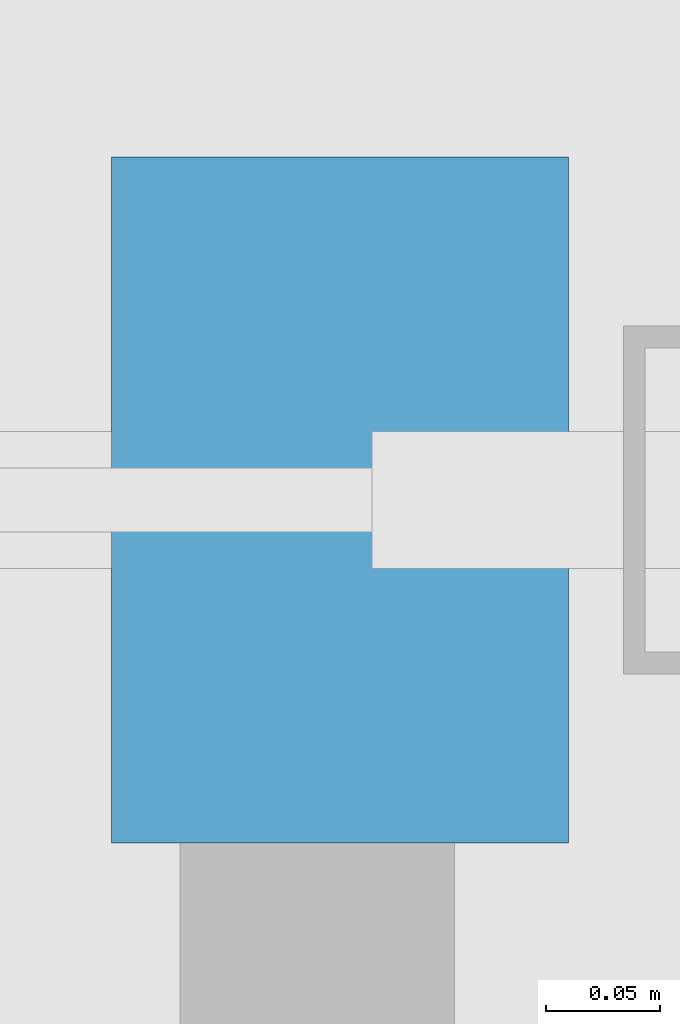
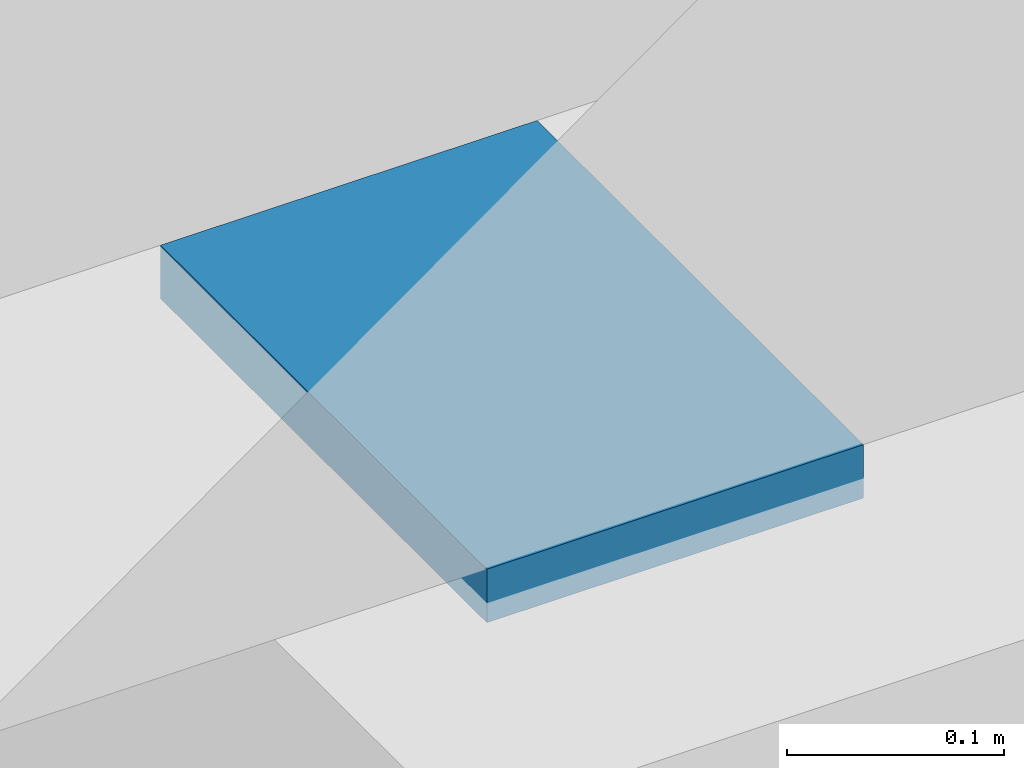
# One storey, part 111 of 131: 1 discrete accessory.
"""IFC4 building model written with IfcOpenShell, lengths in metres."""

import ifcopenshell
import ifcopenshell.guid

model = None  # the IFC model being written
_history = None  # IfcOwnerHistory: only IFC2X3 demands one
_inside = {}  # id of a spatial element -> (the spatial element, [elements in it])
_under = {}  # id of a project, library or spatial element -> (it, [spatial elements below it])
_declared = {}  # id of a project -> (the project, [libraries it declares])
_typed = {}  # id of a type object -> (the type object, [elements of that type])
_made_of = {}  # id of a material, layer set ... -> (it, [elements and type objects made of it])


def new_model(schema):
    """Start an empty IFC model of exactly this schema.

    Asked for "IFC4X3", IfcOpenShell would pick the latest addendum, in which some entities
    have other attributes; the version numbers below select the first issue.
    IFC2X3 requires an IfcOwnerHistory on every rooted entity: one is made here for all.
    """
    global model, _history
    if schema == "IFC4X3":
        model = ifcopenshell.file(schema_version=(4, 3, 0, 0))
    else:
        model = ifcopenshell.file(schema=schema)
    _inside.clear()
    _under.clear()
    _declared.clear()
    _typed.clear()
    _made_of.clear()
    _history = None
    if model.schema == "IFC2X3":
        org = make("IfcOrganization", Name="unknown")
        user = make(
            "IfcPersonAndOrganization",
            ThePerson=make("IfcPerson", FamilyName="unknown"),
            TheOrganization=org,
        )
        app = make(
            "IfcApplication",
            ApplicationDeveloper=org,
            Version="unknown",
            ApplicationFullName="unknown",
            ApplicationIdentifier="unknown",
        )
        _history = make(
            "IfcOwnerHistory",
            OwningUser=user,
            OwningApplication=app,
            ChangeAction="ADDED",
            CreationDate=0,
        )
    return model


def make(cls, **values):
    """One entity of the class cls with the attributes given. An attribute that is None is left unset."""
    return model.create_entity(
        cls, **{name: value for name, value in values.items() if value is not None}
    )


def rooted(cls, **values):
    """An entity with a GlobalId (a new one), such as an element, a storey or a relation."""
    return make(cls, GlobalId=ifcopenshell.guid.new(), OwnerHistory=_history, **values)


def si_unit(unit_type, name, prefix=None):
    """IfcSIUnit, for example si_unit("LENGTHUNIT", "METRE", prefix="MILLI")."""
    return make("IfcSIUnit", UnitType=unit_type, Prefix=prefix, Name=name)


def assignment(units):
    """IfcUnitAssignment: the units of a project."""
    return None if units is None else make("IfcUnitAssignment", Units=units)


def point(xyz):
    """IfcCartesianPoint."""
    return None if xyz is None else make("IfcCartesianPoint", Coordinates=xyz)


def direction(xyz):
    """IfcDirection."""
    return None if xyz is None else make("IfcDirection", DirectionRatios=xyz)


def frame(location, z_axis=None, x_axis=None):
    """IfcAxis2Placement3D, a coordinate frame: its origin and axes. An axis left out is left unset."""
    return make(
        "IfcAxis2Placement3D",
        Location=point(location),
        Axis=direction(z_axis),
        RefDirection=direction(x_axis),
    )


def frame_2d(location, x_axis=None):
    """IfcAxis2Placement2D, a coordinate frame in the plane: its origin and x axis."""
    return make(
        "IfcAxis2Placement2D", Location=point(location), RefDirection=direction(x_axis)
    )


def origin():
    """The frame at (0, 0, 0) with its axes left unset."""
    return frame((0.0, 0.0, 0.0))


def origin_2d():
    """The frame at (0, 0) in the plane with its x axis left unset."""
    return frame_2d((0.0, 0.0))


def place(relative_to, where):
    """IfcLocalPlacement: puts the frame where relative to a parent placement (None: the world)."""
    return make(
        "IfcLocalPlacement", PlacementRelTo=relative_to, RelativePlacement=where
    )


def context(
    kind, dimensions, precision=None, world=None, true_north=None, identifier=None
):
    """IfcGeometricRepresentationContext, for example the 3D "Model" context."""
    return make(
        "IfcGeometricRepresentationContext",
        ContextIdentifier=identifier,
        ContextType=kind,
        CoordinateSpaceDimension=dimensions,
        Precision=precision,
        WorldCoordinateSystem=world,
        TrueNorth=true_north,
    )


def subcontext(parent, identifier, kind, view, scale=None):
    """IfcGeometricRepresentationSubContext, for example "Body" below "Model"."""
    return make(
        "IfcGeometricRepresentationSubContext",
        ContextIdentifier=identifier,
        ContextType=kind,
        ParentContext=parent,
        TargetScale=scale,
        TargetView=view,
    )


def project(units=None, contexts=None):
    """IfcProject with its units and contexts."""
    return rooted(
        "IfcProject",
        Name="project",
        RepresentationContexts=contexts,
        UnitsInContext=assignment(units),
    )


def spatial(cls, under=None, at=None, **own):
    """A site, building, storey or space (cls), placed at a placement, below another one or the project."""
    s = rooted(cls, ObjectPlacement=at, **own)
    if under is not None:
        _under.setdefault(under.id(), (under, []))[1].append(s)
    return s


def profile(cls, at=None, kind="AREA", **sizes):
    """A parametric profile (cls). Its sizes go by their IFC names, for example OverallWidth=200.0."""
    return make(cls, ProfileType=kind, Position=at, **sizes)


def rectangle(**sizes):
    """IfcRectangleProfileDef."""
    return profile("IfcRectangleProfileDef", **sizes)


def extrude(swept, where, along, depth):
    """IfcExtrudedAreaSolid: the profile swept, set in the frame where, extruded along a direction by depth."""
    return make(
        "IfcExtrudedAreaSolid",
        SweptArea=swept,
        Position=where,
        ExtrudedDirection=direction(along),
        Depth=depth,
    )


def shape(context_of_items, identifier, shape_type, items):
    """IfcShapeRepresentation: the items that make up one representation, for example the "Body"."""
    return make(
        "IfcShapeRepresentation",
        ContextOfItems=context_of_items,
        RepresentationIdentifier=identifier,
        RepresentationType=shape_type,
        Items=items,
    )


def material(Name=None, Category=None):
    """IfcMaterial."""
    return make("IfcMaterial", Name=Name, Category=Category)


def material_profile(
    of_material, cross_section, Name=None, Category=None, Priority=None
):
    """IfcMaterialProfile: a cross section and its material."""
    return make(
        "IfcMaterialProfile",
        Name=Name,
        Material=of_material,
        Profile=cross_section,
        Priority=Priority,
        Category=Category,
    )


def profile_set(profiles, Name=None, composite=None):
    """IfcMaterialProfileSet."""
    return make(
        "IfcMaterialProfileSet",
        Name=Name,
        MaterialProfiles=profiles,
        CompositeProfile=composite,
    )


def made_of(thing, what):
    """Note that an element or type object is made of a material, layer set ...; save() writes the relation."""
    if what is not None:
        _made_of.setdefault(what.id(), (what, []))[1].append(thing)
    return thing


def type_object(cls, material=None, **own):
    """A type object (cls), such as IfcWallType, which elements share."""
    return made_of(rooted(cls, **own), material)


def element(
    cls,
    number,
    at=None,
    inside=None,
    cuts=None,
    type_object=None,
    material=None,
    context=None,
    identifier="Body",
    shape_type=None,
    held_by="IfcProductDefinitionShape",
    body=None,
    shapes=None,
    **own,
):
    """One element of the class cls, such as IfcWall. Its Tag is "e" and its number.

    at: its placement. inside: the storey or other place that contains it. cuts: it is an
    opening in that element (IfcRelVoidsElement). A single representation is given by context,
    identifier, shape_type and body (its items); several are given by shapes. held_by: the class
    of the entity that holds the representations. save() writes the other relations.
    """
    e = rooted(cls, Tag="e%d" % number, ObjectPlacement=at, **own)
    if body is not None:
        shapes = [shape(context, identifier, shape_type, body)]
    if shapes is not None:
        e.Representation = make(held_by, Representations=shapes)
    if inside is not None:
        _inside.setdefault(inside.id(), (inside, []))[1].append(e)
    if cuts is not None:
        rooted(
            "IfcRelVoidsElement", RelatingBuildingElement=cuts, RelatedOpeningElement=e
        )
    if type_object is not None:
        _typed.setdefault(type_object.id(), (type_object, []))[1].append(e)
    return made_of(e, material)


def aggregate(whole, parts):
    """IfcRelAggregates: a whole, such as a stair, and the parts it consists of."""
    return rooted("IfcRelAggregates", RelatingObject=whole, RelatedObjects=parts)


def save(model, path):
    """Write the relations noted so far, then the file.

    IfcRelAggregates (storeys below a building ...), IfcRelContainedInSpatialStructure (elements
    in a storey), IfcRelDefinesByType, IfcRelAssociatesMaterial and IfcRelDeclares: one each for
    every whole, place, type object, material and project.
    """
    for whole, parts in _under.values():
        aggregate(whole, parts)
    for where, things in _inside.values():
        rooted(
            "IfcRelContainedInSpatialStructure",
            RelatedElements=things,
            RelatingStructure=where,
        )
    for kind, things in _typed.values():
        rooted("IfcRelDefinesByType", RelatedObjects=things, RelatingType=kind)
    for what, things in _made_of.values():
        rooted("IfcRelAssociatesMaterial", RelatedObjects=things, RelatingMaterial=what)
    for by, libraries in _declared.values():
        rooted("IfcRelDeclares", RelatingContext=by, RelatedDefinitions=libraries)
    model.write(path)


model = new_model("IFC4")

# Units and contexts
model_context = context("Model", 3, precision=1e-05, world=origin(), true_north=direction((0.0, 1.0)))
body_context = subcontext(model_context, "Body", "Model", "MODEL_VIEW")
ifc_project = project(units=[si_unit("LENGTHUNIT", "METRE"), si_unit("AREAUNIT", "SQUARE_METRE"), si_unit("VOLUMEUNIT", "CUBIC_METRE"), si_unit("PLANEANGLEUNIT", "RADIAN"), si_unit("MASSUNIT", "GRAM", prefix="KILO")], contexts=[model_context])

# Site, building, storey
site_placement = place(None, origin())
site = spatial("IfcSite", under=ifc_project, at=site_placement, CompositionType="ELEMENT")
building_placement = place(site_placement, origin())
building = spatial("IfcBuilding", under=site, at=building_placement, Name="Alderwick Market Hall", CompositionType="ELEMENT")
storey_placement = place(building_placement, frame((0.0, 0.0, 4.800048828125)))
storey = spatial("IfcBuildingStorey", under=building, at=storey_placement, Name="L00", CompositionType="ELEMENT", Elevation=4.800048828125)

# Discrete accessory
ifc_material = material(Name="PTFE-faced stainless steel sliding bearing on steel plate, ASTM A709 Grade 50", Category="steel")
ifc_material_profile = material_profile(ifc_material, rectangle(XDim=0.300048828125, YDim=0.030029296875, at=origin_2d()), Name="P Sliding Bearing 300x200x30")
ifc_profile_set = profile_set([ifc_material_profile], Name="PTFE-faced stainless steel sliding bearing on steel plate, ASTM A709 Grade 50")
discrete_accessory_type = type_object("IfcDiscreteAccessoryType", Name="P Sliding Bearing 300x200x30", PredefinedType="SHOE", material=ifc_profile_set)
discrete_accessory_placement = place(storey_placement, frame((49.699951171875, 129.449951171875, -1.1650390625), z_axis=(1.0, 0.0, 0.0), x_axis=(0.0, 1.0, 0.0)))
element("IfcDiscreteAccessory", 1, at=discrete_accessory_placement, inside=storey, type_object=discrete_accessory_type, Name="Sliding bearing", PredefinedType="SHOE", context=body_context, shape_type="SweptSolid", body=[
    extrude(rectangle(XDim=0.300048828125, YDim=0.030029296875, at=origin_2d()), origin(), (0.0, 0.0, 1.0), 0.199951171875),
])

save(model, "model.ifc")
